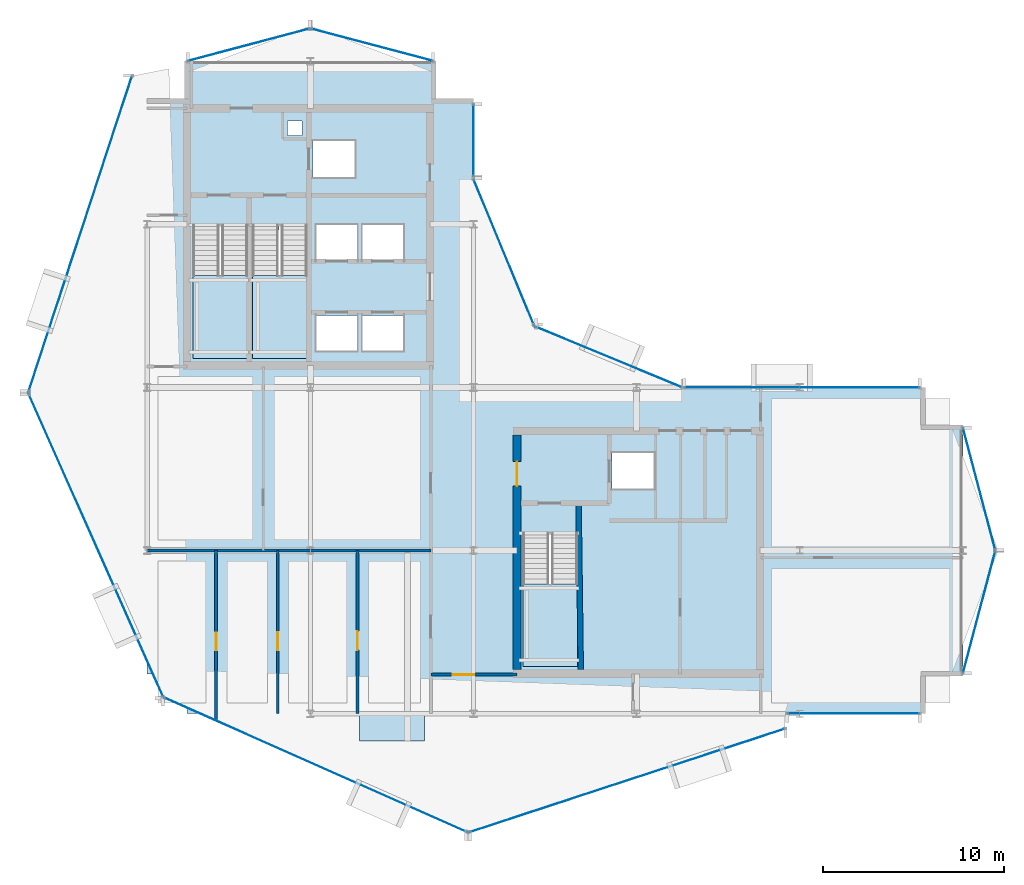
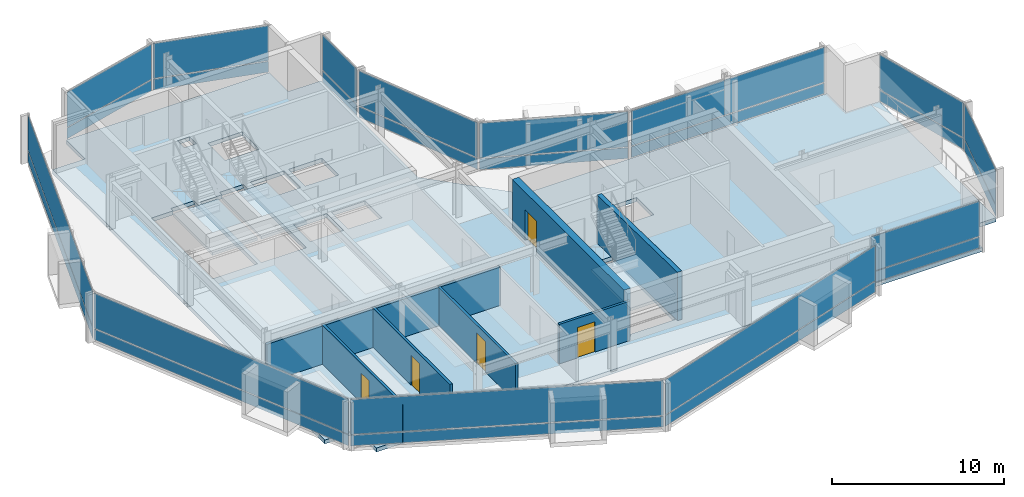
# One storey, part 19 of 27: 26 plates, 7 walls, 5 doors, 5 slabs, 5 openings, 16 elements without a shape of their own.
"""IFC4 building model written with IfcOpenShell, lengths in metres."""

from ifc_helpers import new_model, si_unit, direction, frame, frame_2d, origin, origin_2d, place, context, subcontext, project, spatial, polyline, rectangle, outline, extrude, material, layer, layer_set, type_object, element, fill, aggregate, save


model = new_model("IFC4")

# Units and contexts
model_context = context("Model", 3, precision=1e-05, world=origin(), true_north=direction((0.0, 1.0)))
body_context = subcontext(model_context, "Body", "Model", "MODEL_VIEW")
ifc_project = project(units=[si_unit("LENGTHUNIT", "METRE"), si_unit("AREAUNIT", "SQUARE_METRE"), si_unit("VOLUMEUNIT", "CUBIC_METRE"), si_unit("PLANEANGLEUNIT", "RADIAN"), si_unit("MASSUNIT", "GRAM", prefix="KILO")], contexts=[model_context])

# Site, building, storey
site_placement = place(None, origin())
site = spatial("IfcSite", under=ifc_project, at=site_placement, CompositionType="ELEMENT")
building_placement = place(site_placement, origin())
building = spatial("IfcBuilding", under=site, at=building_placement, Name="Solvaryn Broadcast Tower", CompositionType="ELEMENT")
storey_placement = place(building_placement, frame((0.0, 0.0, 228.39990234375)))
storey = spatial("IfcBuildingStorey", under=building, at=storey_placement, Name="L57", CompositionType="ELEMENT", Elevation=228.39990234375)

# Curtain wall, plates
ifc_material_1 = material(Name="Aluminium and Terracotta Unitised Curtain Wall", Category="masonry")
ifc_layer_1 = layer(ifc_material_1, 0.199951171875)
ifc_layer_set_1 = layer_set([ifc_layer_1], Name="CW-SYS2-LOWMID")
curtain_wall_type = type_object("IfcCurtainWallType", Name="CW-SYS2-LOWMID", PredefinedType="NOTDEFINED", material=ifc_layer_set_1)
curtain_wall_1_placement = place(storey_placement, origin())
curtain_wall_1 = element("IfcCurtainWall", 1, at=curtain_wall_1_placement, inside=storey, type_object=curtain_wall_type, Name="L57 Curtain Wall DR1", PredefinedType="NOTDEFINED")
ifc_material_2 = material(Name="Low-Iron Insulated Vision Glass", Category="glass")
ifc_layer_2 = layer(ifc_material_2, 0.035888671875)
ifc_layer_set_2 = layer_set([ifc_layer_2], Name="CW-PNL-VISION")
plate_type = type_object("IfcPlateType", Name="CW-PNL-VISION", PredefinedType="CURTAIN_PANEL", material=ifc_layer_set_2)
plate_1_placement = place(storey_placement, frame((5.298095703125, 35.444091796875, 0.06005859375), z_axis=(0.0, 0.0, 1.0), x_axis=(-0.311558717623, -0.950226902099, 0.0)))
plate_1 = element("IfcPlate", 2, at=plate_1_placement, type_object=plate_type, Name="CWS2 panel 1.1", PredefinedType="CURTAIN_PANEL", context=body_context, shape_type="SweptSolid", body=[
    extrude(rectangle(XDim=18.271484375, YDim=0.028076171875, at=origin_2d()), origin(), (0.0, 0.0, 1.0), 0.760009765625),
])
plate_2_placement = place(storey_placement, frame((5.298095703125, 35.444091796875, 0.880126953125), z_axis=(0.0, 0.0, 1.0), x_axis=(-0.311558717623, -0.950226902099, 0.0)))
plate_2 = element("IfcPlate", 3, at=plate_2_placement, type_object=plate_type, Name="CWS2 panel 1.2", PredefinedType="CURTAIN_PANEL", context=body_context, shape_type="SweptSolid", body=[
    extrude(rectangle(XDim=18.271484375, YDim=0.028076171875, at=origin_2d()), origin(), (0.0, 0.0, 1.0), 2.47998046875),
])
aggregate(curtain_wall_1, [plate_1, plate_2])

curtain_wall_2_placement = place(storey_placement, origin())
curtain_wall_2 = element("IfcCurtainWall", 4, at=curtain_wall_2_placement, inside=storey, type_object=curtain_wall_type, Name="L57 Curtain Wall DR2", PredefinedType="NOTDEFINED")
plate_3_placement = place(storey_placement, frame((6.16552734375, 18.302001953125, 0.06005859375), z_axis=(0.0, 0.0, 1.0), x_axis=(0.405901337237, -0.913916902365, 0.0)))
plate_3 = element("IfcPlate", 5, at=plate_3_placement, type_object=plate_type, Name="CWS2 panel 1.1", PredefinedType="CURTAIN_PANEL", context=body_context, shape_type="SweptSolid", body=[
    extrude(rectangle(XDim=18.271240234375, YDim=0.028076171875, at=origin_2d()), origin(), (0.0, 0.0, 1.0), 0.760009765625),
])
plate_4_placement = place(storey_placement, frame((6.16552734375, 18.302001953125, 0.880126953125), z_axis=(0.0, 0.0, 1.0), x_axis=(0.405901337237, -0.913916902365, 0.0)))
plate_4 = element("IfcPlate", 6, at=plate_4_placement, type_object=plate_type, Name="CWS2 panel 1.2", PredefinedType="CURTAIN_PANEL", context=body_context, shape_type="SweptSolid", body=[
    extrude(rectangle(XDim=18.271240234375, YDim=0.028076171875, at=origin_2d()), origin(), (0.0, 0.0, 1.0), 2.47998046875),
])
aggregate(curtain_wall_2, [plate_3, plate_4])

curtain_wall_3_placement = place(storey_placement, origin())
curtain_wall_3 = element("IfcCurtainWall", 7, at=curtain_wall_3_placement, inside=storey, type_object=curtain_wall_type, Name="L57 Curtain Wall DR3", PredefinedType="NOTDEFINED")
plate_5_placement = place(storey_placement, frame((18.302001953125, 6.16552734375, 0.06005859375), z_axis=(0.0, 0.0, 1.0), x_axis=(0.913916902365, -0.405901337237, 0.0)))
plate_5 = element("IfcPlate", 8, at=plate_5_placement, type_object=plate_type, Name="CWS2 panel 1.1", PredefinedType="CURTAIN_PANEL", context=body_context, shape_type="SweptSolid", body=[
    extrude(rectangle(XDim=18.271240234375, YDim=0.028076171875, at=origin_2d()), origin(), (0.0, 0.0, 1.0), 0.760009765625),
])
plate_6_placement = place(storey_placement, frame((18.302001953125, 6.16552734375, 0.880126953125), z_axis=(0.0, 0.0, 1.0), x_axis=(0.913916902365, -0.405901337237, 0.0)))
plate_6 = element("IfcPlate", 9, at=plate_6_placement, type_object=plate_type, Name="CWS2 panel 1.2", PredefinedType="CURTAIN_PANEL", context=body_context, shape_type="SweptSolid", body=[
    extrude(rectangle(XDim=18.271240234375, YDim=0.028076171875, at=origin_2d()), origin(), (0.0, 0.0, 1.0), 2.47998046875),
])
aggregate(curtain_wall_3, [plate_5, plate_6])

curtain_wall_4_placement = place(storey_placement, origin())
curtain_wall_4 = element("IfcCurtainWall", 10, at=curtain_wall_4_placement, inside=storey, type_object=curtain_wall_type, Name="L57 Curtain Wall DR4", PredefinedType="NOTDEFINED")
plate_7_placement = place(storey_placement, frame((35.444091796875, 5.298095703125, 0.06005859375), z_axis=(0.0, 0.0, 1.0), x_axis=(0.950226902099, 0.311558717623, 0.0)))
plate_7 = element("IfcPlate", 11, at=plate_7_placement, type_object=plate_type, Name="CWS2 panel 1.1", PredefinedType="CURTAIN_PANEL", context=body_context, shape_type="SweptSolid", body=[
    extrude(rectangle(XDim=18.271484375, YDim=0.028076171875, at=origin_2d()), origin(), (0.0, 0.0, 1.0), 0.760009765625),
])
plate_8_placement = place(storey_placement, frame((35.444091796875, 5.298095703125, 0.880126953125), z_axis=(0.0, 0.0, 1.0), x_axis=(0.950226902099, 0.311558717623, 0.0)))
plate_8 = element("IfcPlate", 12, at=plate_8_placement, type_object=plate_type, Name="CWS2 panel 1.2", PredefinedType="CURTAIN_PANEL", context=body_context, shape_type="SweptSolid", body=[
    extrude(rectangle(XDim=18.271484375, YDim=0.028076171875, at=origin_2d()), origin(), (0.0, 0.0, 1.0), 2.47998046875),
])
aggregate(curtain_wall_4, [plate_7, plate_8])

curtain_wall_5_placement = place(storey_placement, origin())
curtain_wall_5 = element("IfcCurtainWall", 13, at=curtain_wall_5_placement, inside=storey, type_object=curtain_wall_type, Name="L57 Curtain Wall IV", PredefinedType="NOTDEFINED")
plate_9_placement = place(storey_placement, frame((27.0, 40.625, 0.06005859375), z_axis=(0.0, 0.0, 1.0), x_axis=(0.0, -1.0, 0.0)))
plate_9 = element("IfcPlate", 14, at=plate_9_placement, type_object=plate_type, Name="CWS2 panel 1.1", PredefinedType="CURTAIN_PANEL", context=body_context, shape_type="SweptSolid", body=[
    extrude(rectangle(XDim=3.929931640625, YDim=0.028076171875, at=origin_2d()), origin(), (0.0, 0.0, 1.0), 0.760009765625),
])
plate_10_placement = place(storey_placement, frame((27.0, 40.625, 0.880126953125), z_axis=(0.0, 0.0, 1.0), x_axis=(0.0, -1.0, 0.0)))
plate_10 = element("IfcPlate", 15, at=plate_10_placement, type_object=plate_type, Name="CWS2 panel 1.2", PredefinedType="CURTAIN_PANEL", context=body_context, shape_type="SweptSolid", body=[
    extrude(rectangle(XDim=3.929931640625, YDim=0.028076171875, at=origin_2d()), origin(), (0.0, 0.0, 1.0), 2.47998046875),
])
aggregate(curtain_wall_5, [plate_9, plate_10])

curtain_wall_6_placement = place(storey_placement, origin())
curtain_wall_6 = element("IfcCurtainWall", 16, at=curtain_wall_6_placement, inside=storey, type_object=curtain_wall_type, Name="L57 Curtain Wall CN1", PredefinedType="NOTDEFINED")
plate_11_placement = place(storey_placement, frame((34.43408203125, 28.68408203125, 0.06005859375), z_axis=(0.0, 0.0, 1.0), x_axis=(-0.923894983957, 0.382646127145, 0.0)))
plate_11 = element("IfcPlate", 17, at=plate_11_placement, type_object=plate_type, Name="CWS2 panel 1.1", PredefinedType="CURTAIN_PANEL", context=body_context, shape_type="SweptSolid", body=[
    extrude(rectangle(XDim=8.681884765625, YDim=0.028076171875, at=origin_2d()), origin(), (0.0, 0.0, 1.0), 0.760009765625),
])
plate_12_placement = place(storey_placement, frame((34.43408203125, 28.68408203125, 0.880126953125), z_axis=(0.0, 0.0, 1.0), x_axis=(-0.923894983957, 0.382646127145, 0.0)))
plate_12 = element("IfcPlate", 18, at=plate_12_placement, type_object=plate_type, Name="CWS2 panel 1.2", PredefinedType="CURTAIN_PANEL", context=body_context, shape_type="SweptSolid", body=[
    extrude(rectangle(XDim=8.681884765625, YDim=0.028076171875, at=origin_2d()), origin(), (0.0, 0.0, 1.0), 2.47998046875),
])
aggregate(curtain_wall_6, [plate_11, plate_12])

curtain_wall_7_placement = place(storey_placement, origin())
curtain_wall_7 = element("IfcCurtainWall", 19, at=curtain_wall_7_placement, inside=storey, type_object=curtain_wall_type, Name="L57 Curtain Wall CN2", PredefinedType="NOTDEFINED")
plate_13_placement = place(storey_placement, frame((28.68408203125, 34.43408203125, 0.06005859375), z_axis=(0.0, 0.0, 1.0), x_axis=(-0.382646127145, 0.923894983957, 0.0)))
plate_13 = element("IfcPlate", 20, at=plate_13_placement, type_object=plate_type, Name="CWS2 panel 1.1", PredefinedType="CURTAIN_PANEL", context=body_context, shape_type="SweptSolid", body=[
    extrude(rectangle(XDim=8.681884765625, YDim=0.028076171875, at=origin_2d()), origin(), (0.0, 0.0, 1.0), 0.760009765625),
])
plate_14_placement = place(storey_placement, frame((28.68408203125, 34.43408203125, 0.880126953125), z_axis=(0.0, 0.0, 1.0), x_axis=(-0.382646127145, 0.923894983957, 0.0)))
plate_14 = element("IfcPlate", 21, at=plate_14_placement, type_object=plate_type, Name="CWS2 panel 1.2", PredefinedType="CURTAIN_PANEL", context=body_context, shape_type="SweptSolid", body=[
    extrude(rectangle(XDim=8.681884765625, YDim=0.028076171875, at=origin_2d()), origin(), (0.0, 0.0, 1.0), 2.47998046875),
])
aggregate(curtain_wall_7, [plate_13, plate_14])

curtain_wall_8_placement = place(storey_placement, origin())
curtain_wall_8 = element("IfcCurtainWall", 22, at=curtain_wall_8_placement, inside=storey, type_object=curtain_wall_type, Name="L57 Curtain Wall S2", PredefinedType="NOTDEFINED")
plate_15_placement = place(storey_placement, frame((47.966064453125, 9.0, 0.06005859375), z_axis=(0.0, 0.0, 1.0), x_axis=(1.0, 0.0, 0.0)))
plate_15 = element("IfcPlate", 23, at=plate_15_placement, type_object=plate_type, Name="CWS2 panel 1.1", PredefinedType="CURTAIN_PANEL", context=body_context, shape_type="SweptSolid", body=[
    extrude(rectangle(XDim=7.248046875, YDim=0.028076171875, at=origin_2d()), origin(), (0.0, 0.0, 1.0), 0.760009765625),
])
plate_16_placement = place(storey_placement, frame((47.966064453125, 9.0, 0.880126953125), z_axis=(0.0, 0.0, 1.0), x_axis=(1.0, 0.0, 0.0)))
plate_16 = element("IfcPlate", 24, at=plate_16_placement, type_object=plate_type, Name="CWS2 panel 1.2", PredefinedType="CURTAIN_PANEL", context=body_context, shape_type="SweptSolid", body=[
    extrude(rectangle(XDim=7.248046875, YDim=0.028076171875, at=origin_2d()), origin(), (0.0, 0.0, 1.0), 2.47998046875),
])
aggregate(curtain_wall_8, [plate_15, plate_16])

curtain_wall_9_placement = place(storey_placement, origin())
curtain_wall_9 = element("IfcCurtainWall", 25, at=curtain_wall_9_placement, inside=storey, type_object=curtain_wall_type, Name="L57 Curtain Wall NT1", PredefinedType="NOTDEFINED")
plate_17_placement = place(storey_placement, frame((21.39990234375, 45.89990234375, 0.06005859375), z_axis=(0.0, 0.0, 1.0), x_axis=(-0.966705227863, 0.25589256031, 0.0)))
plate_17 = element("IfcPlate", 26, at=plate_17_placement, type_object=plate_type, Name="CWS2 panel 1.1", PredefinedType="CURTAIN_PANEL", context=body_context, shape_type="SweptSolid", body=[
    extrude(rectangle(XDim=6.914306640625, YDim=0.028076171875, at=origin_2d()), origin(), (0.0, 0.0, 1.0), 0.760009765625),
])
plate_18_placement = place(storey_placement, frame((21.39990234375, 45.89990234375, 0.880126953125), z_axis=(0.0, 0.0, 1.0), x_axis=(-0.966705227863, 0.25589256031, 0.0)))
plate_18 = element("IfcPlate", 27, at=plate_18_placement, type_object=plate_type, Name="CWS2 panel 1.2", PredefinedType="CURTAIN_PANEL", context=body_context, shape_type="SweptSolid", body=[
    extrude(rectangle(XDim=6.914306640625, YDim=0.028076171875, at=origin_2d()), origin(), (0.0, 0.0, 1.0), 2.47998046875),
])
aggregate(curtain_wall_9, [plate_17, plate_18])

curtain_wall_10_placement = place(storey_placement, origin())
curtain_wall_10 = element("IfcCurtainWall", 28, at=curtain_wall_10_placement, inside=storey, type_object=curtain_wall_type, Name="L57 Curtain Wall NT2", PredefinedType="NOTDEFINED")
plate_19_placement = place(storey_placement, frame((14.60009765625, 45.89990234375, 0.06005859375), z_axis=(0.0, 0.0, 1.0), x_axis=(-0.966705227863, -0.25589256031, 0.0)))
plate_19 = element("IfcPlate", 29, at=plate_19_placement, type_object=plate_type, Name="CWS2 panel 1.1", PredefinedType="CURTAIN_PANEL", context=body_context, shape_type="SweptSolid", body=[
    extrude(rectangle(XDim=6.914306640625, YDim=0.028076171875, at=origin_2d()), origin(), (0.0, 0.0, 1.0), 0.760009765625),
])
plate_20_placement = place(storey_placement, frame((14.60009765625, 45.89990234375, 0.880126953125), z_axis=(0.0, 0.0, 1.0), x_axis=(-0.966705227863, -0.25589256031, 0.0)))
plate_20 = element("IfcPlate", 30, at=plate_20_placement, type_object=plate_type, Name="CWS2 panel 1.2", PredefinedType="CURTAIN_PANEL", context=body_context, shape_type="SweptSolid", body=[
    extrude(rectangle(XDim=6.914306640625, YDim=0.028076171875, at=origin_2d()), origin(), (0.0, 0.0, 1.0), 2.47998046875),
])
aggregate(curtain_wall_10, [plate_19, plate_20])

curtain_wall_11_placement = place(storey_placement, origin())
curtain_wall_11 = element("IfcCurtainWall", 31, at=curtain_wall_11_placement, inside=storey, type_object=curtain_wall_type, Name="L57 Curtain Wall ET1", PredefinedType="NOTDEFINED")
plate_21_placement = place(storey_placement, frame((54.89990234375, 21.39990234375, 0.06005859375), z_axis=(0.0, 0.0, 1.0), x_axis=(0.25589256031, -0.966705227863, 0.0)))
plate_21 = element("IfcPlate", 32, at=plate_21_placement, type_object=plate_type, Name="CWS2 panel 1.1", PredefinedType="CURTAIN_PANEL", context=body_context, shape_type="SweptSolid", body=[
    extrude(rectangle(XDim=6.914306640625, YDim=0.028076171875, at=origin_2d()), origin(), (0.0, 0.0, 1.0), 0.760009765625),
])
plate_22_placement = place(storey_placement, frame((54.89990234375, 21.39990234375, 0.880126953125), z_axis=(0.0, 0.0, 1.0), x_axis=(0.25589256031, -0.966705227863, 0.0)))
plate_22 = element("IfcPlate", 33, at=plate_22_placement, type_object=plate_type, Name="CWS2 panel 1.2", PredefinedType="CURTAIN_PANEL", context=body_context, shape_type="SweptSolid", body=[
    extrude(rectangle(XDim=6.914306640625, YDim=0.028076171875, at=origin_2d()), origin(), (0.0, 0.0, 1.0), 2.47998046875),
])
aggregate(curtain_wall_11, [plate_21, plate_22])

curtain_wall_12_placement = place(storey_placement, origin())
curtain_wall_12 = element("IfcCurtainWall", 34, at=curtain_wall_12_placement, inside=storey, type_object=curtain_wall_type, Name="L57 Curtain Wall ET2", PredefinedType="NOTDEFINED")
plate_23_placement = place(storey_placement, frame((54.89990234375, 14.60009765625, 0.06005859375), z_axis=(0.0, 0.0, 1.0), x_axis=(-0.25589256031, -0.966705227863, 0.0)))
plate_23 = element("IfcPlate", 35, at=plate_23_placement, type_object=plate_type, Name="CWS2 panel 1.1", PredefinedType="CURTAIN_PANEL", context=body_context, shape_type="SweptSolid", body=[
    extrude(rectangle(XDim=6.914306640625, YDim=0.028076171875, at=origin_2d()), origin(), (0.0, 0.0, 1.0), 0.760009765625),
])
plate_24_placement = place(storey_placement, frame((54.89990234375, 14.60009765625, 0.880126953125), z_axis=(0.0, 0.0, 1.0), x_axis=(-0.25589256031, -0.966705227863, 0.0)))
plate_24 = element("IfcPlate", 36, at=plate_24_placement, type_object=plate_type, Name="CWS2 panel 1.2", PredefinedType="CURTAIN_PANEL", context=body_context, shape_type="SweptSolid", body=[
    extrude(rectangle(XDim=6.914306640625, YDim=0.028076171875, at=origin_2d()), origin(), (0.0, 0.0, 1.0), 2.47998046875),
])
aggregate(curtain_wall_12, [plate_23, plate_24])

curtain_wall_13_placement = place(storey_placement, origin())
curtain_wall_13 = element("IfcCurtainWall", 37, at=curtain_wall_13_placement, inside=storey, type_object=curtain_wall_type, Name="L57 Curtain Wall IH", PredefinedType="NOTDEFINED")
plate_25_placement = place(storey_placement, frame((45.125, 27.0, 0.06005859375), z_axis=(0.0, 0.0, 1.0), x_axis=(1.0, 0.0, 0.0)))
plate_25 = element("IfcPlate", 38, at=plate_25_placement, type_object=plate_type, Name="CWS2 panel 1.1", PredefinedType="CURTAIN_PANEL", context=body_context, shape_type="SweptSolid", body=[
    extrude(rectangle(XDim=12.929931640625, YDim=0.028076171875, at=origin_2d()), origin(), (0.0, 0.0, 1.0), 0.760009765625),
])
plate_26_placement = place(storey_placement, frame((45.125, 27.0, 0.880126953125), z_axis=(0.0, 0.0, 1.0), x_axis=(1.0, 0.0, 0.0)))
plate_26 = element("IfcPlate", 39, at=plate_26_placement, type_object=plate_type, Name="CWS2 panel 1.2", PredefinedType="CURTAIN_PANEL", context=body_context, shape_type="SweptSolid", body=[
    extrude(rectangle(XDim=12.929931640625, YDim=0.028076171875, at=origin_2d()), origin(), (0.0, 0.0, 1.0), 2.47998046875),
])
aggregate(curtain_wall_13, [plate_25, plate_26])

# Slab
ifc_material_3 = material(Name="Concrete f'c 60 MPa", Category="concrete")
ifc_layer_3 = layer(ifc_material_3, 0.2099609375)
ifc_layer_set_3 = layer_set([ifc_layer_3], Name="SL-BAYBOX-210")
slab_type_1 = type_object("IfcSlabType", Name="SL-BAYBOX-210", PredefinedType="FLOOR", material=ifc_layer_set_3)
slab_1_placement = place(storey_placement, frame((0.0, 0.0, -0.2099609375)))
element("IfcSlab", 40, at=slab_1_placement, inside=storey, type_object=slab_type_1, Name="L57 Projecting Bay-Box Slab 1", PredefinedType="FLOOR", context=body_context, shape_type="SweptSolid", body=[
    extrude(outline(polyline([(20.699951171875, 7.5), (24.300048828125, 7.5), (24.300048828125, 9.0), (20.699951171875, 9.0), (20.699951171875, 7.5)])), origin(), (0.0, 0.0, 1.0), 0.2099609375),
])

# Stair, slab
ifc_material_4 = material(Name="Concrete f'c 60 MPa", Category="concrete")
stair_type = type_object("IfcStairType", Name="ST-CORE", PredefinedType="HALF_TURN_STAIR", material=ifc_material_4)
stair_1_placement = place(storey_placement, origin())
stair_1 = element("IfcStair", 41, at=stair_1_placement, inside=storey, type_object=stair_type, Name="L57 ST1", PredefinedType="HALF_TURN_STAIR")
ifc_material_5 = material(Name="Concrete f'c 60 MPa", Category="concrete")
ifc_layer_4 = layer(ifc_material_5, 0.199951171875)
ifc_layer_set_4 = layer_set([ifc_layer_4], Name="SL-LANDING-200")
slab_type_2 = type_object("IfcSlabType", Name="SL-LANDING-200", PredefinedType="LANDING", material=ifc_layer_set_4)
slab_2_placement = place(storey_placement, frame((0.0, 0.0, 1.650146484375)))
slab_2 = element("IfcSlab", 42, at=slab_2_placement, type_object=slab_type_2, Name="ST1 landing 1", PredefinedType="LANDING", context=body_context, shape_type="SweptSolid", body=[
    extrude(outline(polyline([(11.52001953125, 33.159912109375), (11.52001953125, 28.60009765625), (14.550048828125, 28.60009765625), (14.550048828125, 33.159912109375), (11.52001953125, 33.159912109375)])), origin(), (0.0, 0.0, 1.0), 0.199951171875),
])
aggregate(stair_1, [slab_2])

stair_2_placement = place(storey_placement, origin())
stair_2 = element("IfcStair", 43, at=stair_2_placement, inside=storey, type_object=stair_type, Name="L57 ST2", PredefinedType="HALF_TURN_STAIR")
slab_3_placement = place(storey_placement, frame((0.0, 0.0, 1.650146484375)))
slab_3 = element("IfcSlab", 44, at=slab_3_placement, type_object=slab_type_2, Name="ST2 landing 1", PredefinedType="LANDING", context=body_context, shape_type="SweptSolid", body=[
    extrude(outline(polyline([(14.800048828125, 33.159912109375), (14.800048828125, 28.60009765625), (17.830078125, 28.60009765625), (17.830078125, 33.159912109375), (14.800048828125, 33.159912109375)])), origin(), (0.0, 0.0, 1.0), 0.199951171875),
])
aggregate(stair_2, [slab_3])

stair_3_placement = place(storey_placement, origin())
stair_3 = element("IfcStair", 45, at=stair_3_placement, inside=storey, type_object=stair_type, Name="L57 ST3", PredefinedType="HALF_TURN_STAIR")
slab_4_placement = place(storey_placement, frame((0.0, 0.0, 1.650146484375)))
slab_4 = element("IfcSlab", 46, at=slab_4_placement, type_object=slab_type_2, Name="ST3 landing 1", PredefinedType="LANDING", context=body_context, shape_type="SweptSolid", body=[
    extrude(outline(polyline([(29.719970703125, 16.159912109375), (29.719970703125, 11.60009765625), (32.75, 11.60009765625), (32.75, 16.159912109375), (29.719970703125, 16.159912109375)])), origin(), (0.0, 0.0, 1.0), 0.199951171875),
])
aggregate(stair_3, [slab_4])

# Slab
ifc_material_6 = material(Name="Concrete f'c 60 MPa", Category="concrete")
ifc_layer_5 = layer(ifc_material_6, 0.280029296875)
ifc_layer_set_5 = layer_set([ifc_layer_5], Name="SL-TWR-280")
slab_type_3 = type_object("IfcSlabType", Name="SL-TWR-280", PredefinedType="FLOOR", material=ifc_layer_set_5)
slab_5_placement = place(storey_placement, frame((0.0, 0.0, -0.27978515625)))
element("IfcSlab", 47, at=slab_5_placement, inside=storey, type_object=slab_type_3, Name="L57 Structural Floor Slab", PredefinedType="FLOOR", context=body_context, shape_type="SweptSolid", body=[
    extrude(outline(polyline([(11.199951171875, 9.0), (51.800048828125, 9.0), (51.800048828125, 11.199951171875), (54.0, 11.199951171875), (54.0, 24.800048828125), (51.800048828125, 24.800048828125), (51.800048828125, 27.0), (31.5, 27.0), (27.0, 31.5), (27.0, 42.800048828125), (24.800048828125, 42.800048828125), (24.800048828125, 45.0), (11.199951171875, 45.0), (11.199951171875, 42.800048828125), (9.0, 42.800048828125), (9.0, 11.199951171875), (11.199951171875, 11.199951171875), (11.199951171875, 9.0)]), holes=[polyline([(11.52001953125, 28.60009765625), (14.550048828125, 28.60009765625), (14.550048828125, 35.9599609375), (12.97998046875, 35.9599609375), (12.97998046875, 35.679931640625), (11.52001953125, 35.679931640625), (11.52001953125, 28.60009765625)]), polyline([(14.800048828125, 28.60009765625), (17.830078125, 28.60009765625), (17.830078125, 35.9599609375), (16.260009765625, 35.9599609375), (16.260009765625, 35.679931640625), (14.800048828125, 35.679931640625), (14.800048828125, 28.60009765625)]), polyline([(29.719970703125, 11.60009765625), (32.75, 11.60009765625), (32.75, 18.9599609375), (31.179931640625, 18.9599609375), (31.179931640625, 18.679931640625), (29.719970703125, 18.679931640625), (29.719970703125, 11.60009765625)]), polyline([(18.14990234375, 38.60009765625), (20.449951171875, 38.60009765625), (20.449951171875, 40.60009765625), (18.14990234375, 40.60009765625), (18.14990234375, 38.60009765625)]), polyline([(18.324951171875, 29.02490234375), (20.574951171875, 29.02490234375), (20.574951171875, 30.97509765625), (18.324951171875, 30.97509765625), (18.324951171875, 29.02490234375)]), polyline([(20.875, 29.02490234375), (23.125, 29.02490234375), (23.125, 30.97509765625), (20.875, 30.97509765625), (20.875, 29.02490234375)]), polyline([(18.324951171875, 34.02490234375), (20.574951171875, 34.02490234375), (20.574951171875, 35.97509765625), (18.324951171875, 35.97509765625), (18.324951171875, 34.02490234375)]), polyline([(20.875, 34.02490234375), (23.125, 34.02490234375), (23.125, 35.97509765625), (20.875, 35.97509765625), (20.875, 34.02490234375)]), polyline([(34.64990234375, 21.39990234375), (36.949951171875, 21.39990234375), (36.949951171875, 23.39990234375), (34.64990234375, 23.39990234375), (34.64990234375, 21.39990234375)]), polyline([(16.75, 40.89990234375), (17.550048828125, 40.89990234375), (17.550048828125, 41.699951171875), (16.75, 41.699951171875), (16.75, 40.89990234375)])]), origin(), (0.0, 0.0, 1.0), 0.27978515625),
])

# Wall, opening, door
ifc_material_7 = material(Name="Concrete f'c 70 MPa", Category="concrete")
ifc_layer_6 = layer(ifc_material_7, 0.449951171875)
ifc_layer_set_6 = layer_set([ifc_layer_6], Name="CW-SHEAR-450")
wall_type_1 = type_object("IfcWallType", Name="CW-SHEAR-450", PredefinedType="SHEAR", material=ifc_layer_set_6)
wall_1_placement = place(storey_placement, frame((29.39990234375, 24.375, 0.0), z_axis=(0.0, 0.0, 1.0), x_axis=(0.0, -1.0, 0.0)))
wall_1 = element("IfcWall", 48, at=wall_1_placement, inside=storey, type_object=wall_type_1, Name="L57 East Core West Shear Wall", PredefinedType="SHEAR", context=body_context, shape_type="SweptSolid", body=[
    extrude(rectangle(XDim=12.949951171875, YDim=0.449951171875, at=frame_2d((6.47509765625, 0.0))), origin(), (0.0, 0.0, 1.0), 3.420166015625),
])
opening_1_placement = place(wall_1_placement, frame((1.47509765625, 0.0, 0.0)))
opening_1 = element("IfcOpeningElement", 49, at=opening_1_placement, cuts=wall_1, Name="Opening FD90B", PredefinedType="OPENING", context=body_context, shape_type="SweptSolid", body=[
    extrude(rectangle(XDim=1.35009765625, YDim=2.14990234375, at=frame_2d((0.675048828125, 1.074951171875))), frame((0.0, 0.235107421875, 0.0), z_axis=(0.0, -1.0, 0.0), x_axis=(1.0, 0.0, 0.0)), (0.0, 0.0, 1.0), 0.469970703125),
])
ifc_material_8 = material(Name="Flush Acoustic Steel and Timber Door Assembly", Category="steel")
door_type_1 = type_object("IfcDoorType", Name="FD90-LOBBY-1350X2150", OperationType="NOTDEFINED", PredefinedType="DOOR", material=ifc_material_8)
door_1_placement = place(opening_1_placement, origin())
door_1 = element("IfcDoor", 50, at=door_1_placement, inside=storey, type_object=door_type_1, Name="L57 East FSAE Lobby Door", OperationType="SINGLE_SWING_RIGHT", OverallHeight=2.14990234375, OverallWidth=1.35009765625, PredefinedType="DOOR", context=body_context, shape_type="SweptSolid", body=[
    extrude(rectangle(XDim=1.35009765625, YDim=2.14990234375, at=frame_2d((0.675048828125, 1.074951171875))), frame((0.0, 0.02490234375, 0.0), z_axis=(0.0, -1.0, 0.0), x_axis=(1.0, 0.0, 0.0)), (0.0, 0.0, 1.0), 0.050048828125),
])
fill(opening_1, door_1)

ifc_material_9 = material(Name="Metal-Stud Gypsum Office Partition")
ifc_layer_7 = layer(ifc_material_9, 0.159912109375)
ifc_layer_set_7 = layer_set([ifc_layer_7], Name="IW-PART-160")
wall_type_2 = type_object("IfcWallType", Name="IW-PART-160", PredefinedType="PARTITIONING", material=ifc_layer_set_7)
wall_2_placement = place(storey_placement, frame((12.800048828125, 8.60888671875, 0.0), z_axis=(0.0, 0.0, 1.0), x_axis=(0.0, 1.0, 0.0)))
wall_2 = element("IfcWall", 51, at=wall_2_placement, inside=storey, type_object=wall_type_2, Name="L57 Interior Partition IW-L57-SWS-V1", PredefinedType="PARTITIONING", context=body_context, shape_type="SweptSolid", body=[
    extrude(rectangle(XDim=9.39111328125, YDim=0.159912109375, at=frame_2d((4.695556640625, 0.0))), origin(), (0.0, 0.0, 1.0), 2.7890625),
])
opening_2_placement = place(wall_2_placement, frame((3.89111328125, 0.0, 0.0)))
opening_2 = element("IfcOpeningElement", 52, at=opening_2_placement, cuts=wall_2, Name="Opening ID01", PredefinedType="OPENING", context=body_context, shape_type="SweptSolid", body=[
    extrude(rectangle(XDim=0.949951171875, YDim=2.10009765625, at=frame_2d((0.47509765625, 1.050048828125))), frame((0.0, 0.090087890625, 0.0), z_axis=(0.0, -1.0, 0.0), x_axis=(1.0, 0.0, 0.0)), (0.0, 0.0, 1.0), 0.179931640625),
])
ifc_material_10 = material(Name="Flush Acoustic Steel and Timber Door Assembly", Category="steel")
door_type_2 = type_object("IfcDoorType", Name="ID-01-950X2100", OperationType="NOTDEFINED", PredefinedType="DOOR", material=ifc_material_10)
door_2_placement = place(opening_2_placement, origin())
door_2 = element("IfcDoor", 53, at=door_2_placement, inside=storey, type_object=door_type_2, Name="L57 Door DR-L57-SWS-1", OperationType="SINGLE_SWING_RIGHT", OverallHeight=2.10009765625, OverallWidth=0.949951171875, PredefinedType="DOOR", context=body_context, shape_type="SweptSolid", body=[
    extrude(rectangle(XDim=0.949951171875, YDim=2.10009765625, at=frame_2d((0.47509765625, 1.050048828125))), frame((0.0, 0.02490234375, 0.0), z_axis=(0.0, -1.0, 0.0), x_axis=(1.0, 0.0, 0.0)), (0.0, 0.0, 1.0), 0.050048828125),
])
fill(opening_2, door_2)

wall_3_placement = place(storey_placement, frame((16.199951171875, 9.0, 0.0), z_axis=(0.0, 0.0, 1.0), x_axis=(0.0, 1.0, 0.0)))
wall_3 = element("IfcWall", 54, at=wall_3_placement, inside=storey, type_object=wall_type_2, Name="L57 Interior Partition IW-L57-SWS-V2", PredefinedType="PARTITIONING", context=body_context, shape_type="SweptSolid", body=[
    extrude(rectangle(XDim=9.0, YDim=0.159912109375, at=frame_2d((4.5, 0.0))), origin(), (0.0, 0.0, 1.0), 2.7890625),
])
opening_3_placement = place(wall_3_placement, frame((3.5, 0.0, 0.0)))
opening_3 = element("IfcOpeningElement", 55, at=opening_3_placement, cuts=wall_3, Name="Opening ID02", PredefinedType="OPENING", context=body_context, shape_type="SweptSolid", body=[
    extrude(rectangle(XDim=1.0, YDim=2.10009765625, at=frame_2d((0.5, 1.050048828125))), frame((0.0, 0.090087890625, 0.0), z_axis=(0.0, -1.0, 0.0), x_axis=(1.0, 0.0, 0.0)), (0.0, 0.0, 1.0), 0.179931640625),
])
ifc_material_11 = material(Name="Flush Acoustic Steel and Timber Door Assembly", Category="steel")
door_type_3 = type_object("IfcDoorType", Name="ID-02-1000X2100", OperationType="NOTDEFINED", PredefinedType="DOOR", material=ifc_material_11)
door_3_placement = place(opening_3_placement, origin())
door_3 = element("IfcDoor", 56, at=door_3_placement, inside=storey, type_object=door_type_3, Name="L57 Door DR-L57-SWS-2", OperationType="SINGLE_SWING_LEFT", OverallHeight=2.10009765625, OverallWidth=1.0, PredefinedType="DOOR", context=body_context, shape_type="SweptSolid", body=[
    extrude(rectangle(XDim=1.0, YDim=2.10009765625, at=frame_2d((0.5, 1.050048828125))), frame((0.0, 0.02490234375, 0.0), z_axis=(0.0, -1.0, 0.0), x_axis=(1.0, 0.0, 0.0)), (0.0, 0.0, 1.0), 0.050048828125),
])
fill(opening_3, door_3)

wall_4_placement = place(storey_placement, frame((20.60009765625, 9.0, 0.0), z_axis=(0.0, 0.0, 1.0), x_axis=(0.0, 1.0, 0.0)))
wall_4 = element("IfcWall", 57, at=wall_4_placement, inside=storey, type_object=wall_type_2, Name="L57 Interior Partition IW-L57-SWS-V3", PredefinedType="PARTITIONING", context=body_context, shape_type="SweptSolid", body=[
    extrude(rectangle(XDim=9.0, YDim=0.159912109375, at=frame_2d((4.5, 0.0))), origin(), (0.0, 0.0, 1.0), 2.70703125),
])
opening_4_placement = place(wall_4_placement, frame((3.5, 0.0, 0.0)))
opening_4 = element("IfcOpeningElement", 58, at=opening_4_placement, cuts=wall_4, Name="Opening ID03", PredefinedType="OPENING", context=body_context, shape_type="SweptSolid", body=[
    extrude(rectangle(XDim=1.050048828125, YDim=2.14990234375, at=frame_2d((0.52490234375, 1.074951171875))), frame((0.0, 0.090087890625, 0.0), z_axis=(0.0, -1.0, 0.0), x_axis=(1.0, 0.0, 0.0)), (0.0, 0.0, 1.0), 0.179931640625),
])
ifc_material_12 = material(Name="Flush Acoustic Steel and Timber Door Assembly", Category="steel")
door_type_4 = type_object("IfcDoorType", Name="ID-03-1050X2150", OperationType="NOTDEFINED", PredefinedType="DOOR", material=ifc_material_12)
door_4_placement = place(opening_4_placement, origin())
door_4 = element("IfcDoor", 59, at=door_4_placement, inside=storey, type_object=door_type_4, Name="L57 Door DR-L57-SWS-3", OperationType="SINGLE_SWING_RIGHT", OverallHeight=2.14990234375, OverallWidth=1.050048828125, PredefinedType="DOOR", context=body_context, shape_type="SweptSolid", body=[
    extrude(rectangle(XDim=1.050048828125, YDim=2.14990234375, at=frame_2d((0.52490234375, 1.074951171875))), frame((0.0, 0.02490234375, 0.0), z_axis=(0.0, -1.0, 0.0), x_axis=(1.0, 0.0, 0.0)), (0.0, 0.0, 1.0), 0.050048828125),
])
fill(opening_4, door_4)

wall_5_placement = place(storey_placement, frame((24.64990234375, 11.14990234375, 0.0), z_axis=(0.0, 0.0, 1.0), x_axis=(1.0, 0.0, 0.0)))
wall_5 = element("IfcWall", 60, at=wall_5_placement, inside=storey, type_object=wall_type_2, Name="L57 Interior Partition IW-L57-SC-N", PredefinedType="PARTITIONING", context=body_context, shape_type="SweptSolid", body=[
    extrude(rectangle(XDim=4.75, YDim=0.159912109375, at=frame_2d((2.375, 0.0))), origin(), (0.0, 0.0, 1.0), 2.7919921875),
])
opening_5_placement = place(wall_5_placement, frame((1.199951171875, 0.0, 0.0)))
opening_5 = element("IfcOpeningElement", 61, at=opening_5_placement, cuts=wall_5, Name="Opening ID04", PredefinedType="OPENING", context=body_context, shape_type="SweptSolid", body=[
    extrude(rectangle(XDim=1.199951171875, YDim=2.14990234375, at=frame_2d((0.60009765625, 1.074951171875))), frame((0.0, 0.090087890625, 0.0), z_axis=(0.0, -1.0, 0.0), x_axis=(1.0, 0.0, 0.0)), (0.0, 0.0, 1.0), 0.179931640625),
])
ifc_material_13 = material(Name="Flush Acoustic Steel and Timber Door Assembly", Category="steel")
door_type_5 = type_object("IfcDoorType", Name="ID-04-1200X2150", OperationType="NOTDEFINED", PredefinedType="DOOR", material=ifc_material_13)
door_5_placement = place(opening_5_placement, origin())
door_5 = element("IfcDoor", 62, at=door_5_placement, inside=storey, type_object=door_type_5, Name="L57 Door DR-L57-SC0", OperationType="SINGLE_SWING_LEFT", OverallHeight=2.14990234375, OverallWidth=1.199951171875, PredefinedType="DOOR", context=body_context, shape_type="SweptSolid", body=[
    extrude(rectangle(XDim=1.199951171875, YDim=2.14990234375, at=frame_2d((0.60009765625, 1.074951171875))), frame((0.0, 0.02490234375, 0.0), z_axis=(0.0, -1.0, 0.0), x_axis=(1.0, 0.0, 0.0)), (0.0, 0.0, 1.0), 0.050048828125),
])
fill(opening_5, door_5)

# Walls
ifc_material_14 = material(Name="Acoustic Metal-Stud Gypsum Partition")
ifc_layer_8 = layer(ifc_material_14, 0.179931640625)
ifc_layer_set_8 = layer_set([ifc_layer_8], Name="IW-PART-180")
wall_type_3 = type_object("IfcWallType", Name="IW-PART-180", PredefinedType="PARTITIONING", material=ifc_layer_set_8)
wall_6_placement = place(storey_placement, frame((9.0, 18.0, 0.0), z_axis=(0.0, 0.0, 1.0), x_axis=(1.0, 0.0, 0.0)))
element("IfcWall", 63, at=wall_6_placement, inside=storey, type_object=wall_type_3, Name="L57 Interior Partition IW-L57-SW-HY", PredefinedType="PARTITIONING", context=body_context, shape_type="SweptSolid", body=[
    extrude(rectangle(XDim=15.64990234375, YDim=0.179931640625, at=frame_2d((7.824951171875, 0.0))), origin(), (0.0, 0.0, 1.0), 2.70703125),
])
ifc_material_15 = material(Name="Concrete f'c 70 MPa", Category="concrete")
ifc_layer_9 = layer(ifc_material_15, 0.300048828125)
ifc_layer_set_9 = layer_set([ifc_layer_9], Name="SW-SHAFT-300")
wall_type_4 = type_object("IfcWallType", Name="SW-SHAFT-300", PredefinedType="SHEAR", material=ifc_layer_set_9)
wall_7_placement = place(storey_placement, frame((32.919921875, 11.425048828125, 0.0), z_axis=(0.0, 0.0, 1.0), x_axis=(-0.013135638869, 0.999913723774, 0.0)))
element("IfcWall", 64, at=wall_7_placement, inside=storey, type_object=wall_type_4, Name="L57 Stair 3 East Shear Wall", PredefinedType="SHEAR", context=body_context, shape_type="SweptSolid", body=[
    extrude(rectangle(XDim=9.125732421875, YDim=0.300048828125, at=frame_2d((4.56298828125, 0.0))), origin(), (0.0, 0.0, 1.0), 3.420166015625),
])

save(model, "model.ifc")
